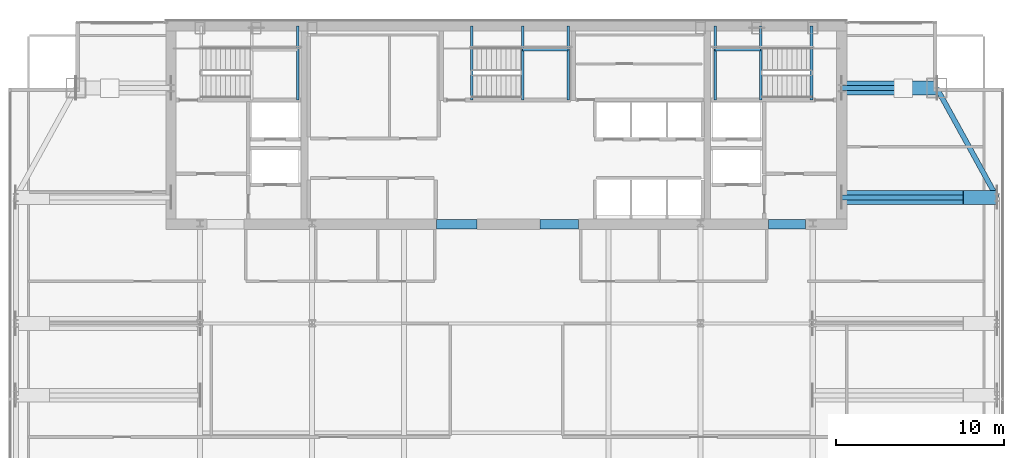
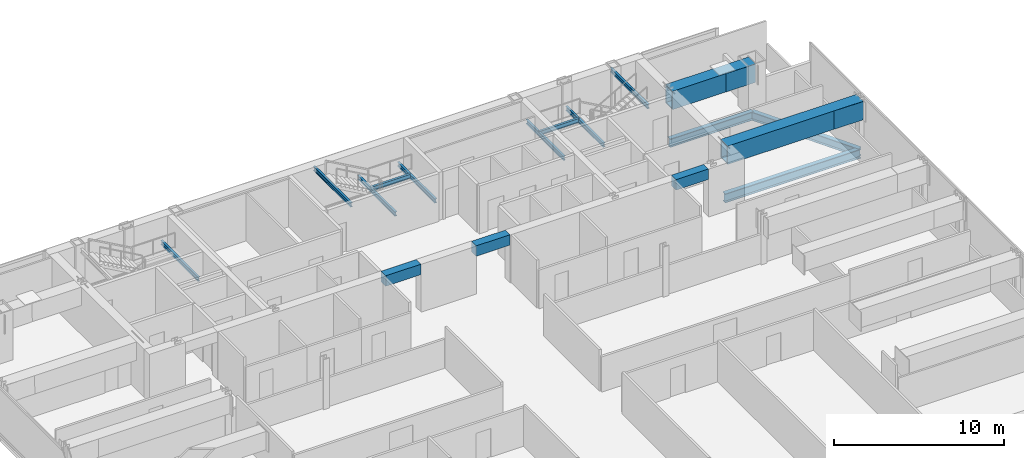
# One storey, part 18 of 26: 19 beams.
"""IFC4 building model written with IfcOpenShell, lengths in metres."""

import ifcopenshell
import ifcopenshell.guid

model = None  # the IFC model being written
_history = None  # IfcOwnerHistory: only IFC2X3 demands one
_inside = {}  # id of a spatial element -> (the spatial element, [elements in it])
_under = {}  # id of a project, library or spatial element -> (it, [spatial elements below it])
_declared = {}  # id of a project -> (the project, [libraries it declares])
_typed = {}  # id of a type object -> (the type object, [elements of that type])
_made_of = {}  # id of a material, layer set ... -> (it, [elements and type objects made of it])


def new_model(schema):
    """Start an empty IFC model of exactly this schema.

    Asked for "IFC4X3", IfcOpenShell would pick the latest addendum, in which some entities
    have other attributes; the version numbers below select the first issue.
    IFC2X3 requires an IfcOwnerHistory on every rooted entity: one is made here for all.
    """
    global model, _history
    if schema == "IFC4X3":
        model = ifcopenshell.file(schema_version=(4, 3, 0, 0))
    else:
        model = ifcopenshell.file(schema=schema)
    _inside.clear()
    _under.clear()
    _declared.clear()
    _typed.clear()
    _made_of.clear()
    _history = None
    if model.schema == "IFC2X3":
        org = make("IfcOrganization", Name="unknown")
        user = make(
            "IfcPersonAndOrganization",
            ThePerson=make("IfcPerson", FamilyName="unknown"),
            TheOrganization=org,
        )
        app = make(
            "IfcApplication",
            ApplicationDeveloper=org,
            Version="unknown",
            ApplicationFullName="unknown",
            ApplicationIdentifier="unknown",
        )
        _history = make(
            "IfcOwnerHistory",
            OwningUser=user,
            OwningApplication=app,
            ChangeAction="ADDED",
            CreationDate=0,
        )
    return model


def make(cls, **values):
    """One entity of the class cls with the attributes given. An attribute that is None is left unset."""
    return model.create_entity(
        cls, **{name: value for name, value in values.items() if value is not None}
    )


def rooted(cls, **values):
    """An entity with a GlobalId (a new one), such as an element, a storey or a relation."""
    return make(cls, GlobalId=ifcopenshell.guid.new(), OwnerHistory=_history, **values)


def si_unit(unit_type, name, prefix=None):
    """IfcSIUnit, for example si_unit("LENGTHUNIT", "METRE", prefix="MILLI")."""
    return make("IfcSIUnit", UnitType=unit_type, Prefix=prefix, Name=name)


def assignment(units):
    """IfcUnitAssignment: the units of a project."""
    return None if units is None else make("IfcUnitAssignment", Units=units)


def point(xyz):
    """IfcCartesianPoint."""
    return None if xyz is None else make("IfcCartesianPoint", Coordinates=xyz)


def direction(xyz):
    """IfcDirection."""
    return None if xyz is None else make("IfcDirection", DirectionRatios=xyz)


def frame(location, z_axis=None, x_axis=None):
    """IfcAxis2Placement3D, a coordinate frame: its origin and axes. An axis left out is left unset."""
    return make(
        "IfcAxis2Placement3D",
        Location=point(location),
        Axis=direction(z_axis),
        RefDirection=direction(x_axis),
    )


def frame_2d(location, x_axis=None):
    """IfcAxis2Placement2D, a coordinate frame in the plane: its origin and x axis."""
    return make(
        "IfcAxis2Placement2D", Location=point(location), RefDirection=direction(x_axis)
    )


def origin():
    """The frame at (0, 0, 0) with its axes left unset."""
    return frame((0.0, 0.0, 0.0))


def origin_2d():
    """The frame at (0, 0) in the plane with its x axis left unset."""
    return frame_2d((0.0, 0.0))


def place(relative_to, where):
    """IfcLocalPlacement: puts the frame where relative to a parent placement (None: the world)."""
    return make(
        "IfcLocalPlacement", PlacementRelTo=relative_to, RelativePlacement=where
    )


def context(
    kind, dimensions, precision=None, world=None, true_north=None, identifier=None
):
    """IfcGeometricRepresentationContext, for example the 3D "Model" context."""
    return make(
        "IfcGeometricRepresentationContext",
        ContextIdentifier=identifier,
        ContextType=kind,
        CoordinateSpaceDimension=dimensions,
        Precision=precision,
        WorldCoordinateSystem=world,
        TrueNorth=true_north,
    )


def subcontext(parent, identifier, kind, view, scale=None):
    """IfcGeometricRepresentationSubContext, for example "Body" below "Model"."""
    return make(
        "IfcGeometricRepresentationSubContext",
        ContextIdentifier=identifier,
        ContextType=kind,
        ParentContext=parent,
        TargetScale=scale,
        TargetView=view,
    )


def project(units=None, contexts=None):
    """IfcProject with its units and contexts."""
    return rooted(
        "IfcProject",
        Name="project",
        RepresentationContexts=contexts,
        UnitsInContext=assignment(units),
    )


def spatial(cls, under=None, at=None, **own):
    """A site, building, storey or space (cls), placed at a placement, below another one or the project."""
    s = rooted(cls, ObjectPlacement=at, **own)
    if under is not None:
        _under.setdefault(under.id(), (under, []))[1].append(s)
    return s


def profile(cls, at=None, kind="AREA", **sizes):
    """A parametric profile (cls). Its sizes go by their IFC names, for example OverallWidth=200.0."""
    return make(cls, ProfileType=kind, Position=at, **sizes)


def rectangle(**sizes):
    """IfcRectangleProfileDef."""
    return profile("IfcRectangleProfileDef", **sizes)


def hollow_rectangle(**sizes):
    """IfcRectangleHollowProfileDef."""
    return profile("IfcRectangleHollowProfileDef", **sizes)


def i_section(**sizes):
    """IfcIShapeProfileDef."""
    return profile("IfcIShapeProfileDef", **sizes)


def extrude(swept, where, along, depth):
    """IfcExtrudedAreaSolid: the profile swept, set in the frame where, extruded along a direction by depth."""
    return make(
        "IfcExtrudedAreaSolid",
        SweptArea=swept,
        Position=where,
        ExtrudedDirection=direction(along),
        Depth=depth,
    )


def shape(context_of_items, identifier, shape_type, items):
    """IfcShapeRepresentation: the items that make up one representation, for example the "Body"."""
    return make(
        "IfcShapeRepresentation",
        ContextOfItems=context_of_items,
        RepresentationIdentifier=identifier,
        RepresentationType=shape_type,
        Items=items,
    )


def material(Name=None, Category=None):
    """IfcMaterial."""
    return make("IfcMaterial", Name=Name, Category=Category)


def material_profile(
    of_material, cross_section, Name=None, Category=None, Priority=None
):
    """IfcMaterialProfile: a cross section and its material."""
    return make(
        "IfcMaterialProfile",
        Name=Name,
        Material=of_material,
        Profile=cross_section,
        Priority=Priority,
        Category=Category,
    )


def profile_set(profiles, Name=None, composite=None):
    """IfcMaterialProfileSet."""
    return make(
        "IfcMaterialProfileSet",
        Name=Name,
        MaterialProfiles=profiles,
        CompositeProfile=composite,
    )


def made_of(thing, what):
    """Note that an element or type object is made of a material, layer set ...; save() writes the relation."""
    if what is not None:
        _made_of.setdefault(what.id(), (what, []))[1].append(thing)
    return thing


def type_object(cls, material=None, **own):
    """A type object (cls), such as IfcWallType, which elements share."""
    return made_of(rooted(cls, **own), material)


def element(
    cls,
    number,
    at=None,
    inside=None,
    cuts=None,
    type_object=None,
    material=None,
    context=None,
    identifier="Body",
    shape_type=None,
    held_by="IfcProductDefinitionShape",
    body=None,
    shapes=None,
    **own,
):
    """One element of the class cls, such as IfcWall. Its Tag is "e" and its number.

    at: its placement. inside: the storey or other place that contains it. cuts: it is an
    opening in that element (IfcRelVoidsElement). A single representation is given by context,
    identifier, shape_type and body (its items); several are given by shapes. held_by: the class
    of the entity that holds the representations. save() writes the other relations.
    """
    e = rooted(cls, Tag="e%d" % number, ObjectPlacement=at, **own)
    if body is not None:
        shapes = [shape(context, identifier, shape_type, body)]
    if shapes is not None:
        e.Representation = make(held_by, Representations=shapes)
    if inside is not None:
        _inside.setdefault(inside.id(), (inside, []))[1].append(e)
    if cuts is not None:
        rooted(
            "IfcRelVoidsElement", RelatingBuildingElement=cuts, RelatedOpeningElement=e
        )
    if type_object is not None:
        _typed.setdefault(type_object.id(), (type_object, []))[1].append(e)
    return made_of(e, material)


def aggregate(whole, parts):
    """IfcRelAggregates: a whole, such as a stair, and the parts it consists of."""
    return rooted("IfcRelAggregates", RelatingObject=whole, RelatedObjects=parts)


def save(model, path):
    """Write the relations noted so far, then the file.

    IfcRelAggregates (storeys below a building ...), IfcRelContainedInSpatialStructure (elements
    in a storey), IfcRelDefinesByType, IfcRelAssociatesMaterial and IfcRelDeclares: one each for
    every whole, place, type object, material and project.
    """
    for whole, parts in _under.values():
        aggregate(whole, parts)
    for where, things in _inside.values():
        rooted(
            "IfcRelContainedInSpatialStructure",
            RelatedElements=things,
            RelatingStructure=where,
        )
    for kind, things in _typed.values():
        rooted("IfcRelDefinesByType", RelatedObjects=things, RelatingType=kind)
    for what, things in _made_of.values():
        rooted("IfcRelAssociatesMaterial", RelatedObjects=things, RelatingMaterial=what)
    for by, libraries in _declared.values():
        rooted("IfcRelDeclares", RelatingContext=by, RelatedDefinitions=libraries)
    model.write(path)


model = new_model("IFC4")

# Units and contexts
model_context = context("Model", 3, precision=1e-05, world=origin(), true_north=direction((0.0, 1.0)))
body_context = subcontext(model_context, "Body", "Model", "MODEL_VIEW")
ifc_project = project(units=[si_unit("LENGTHUNIT", "METRE"), si_unit("AREAUNIT", "SQUARE_METRE"), si_unit("VOLUMEUNIT", "CUBIC_METRE"), si_unit("PLANEANGLEUNIT", "RADIAN"), si_unit("MASSUNIT", "GRAM", prefix="KILO")], contexts=[model_context])

# Site, building, storey
site_placement = place(None, origin())
site = spatial("IfcSite", under=ifc_project, at=site_placement, CompositionType="ELEMENT")
building_placement = place(site_placement, origin())
building = spatial("IfcBuilding", under=site, at=building_placement, Name="Khoronbel Lancet Exchange", CompositionType="ELEMENT")
storey_placement = place(building_placement, frame((0.0, 0.0, 235.39990234375)))
storey = spatial("IfcBuildingStorey", under=building, at=storey_placement, Name="L60", CompositionType="ELEMENT", Elevation=235.39990234375)

# Beams
ifc_material_1 = material(Name="Steel S355", Category="steel")
ifc_material_profile_1 = material_profile(ifc_material_1, i_section(OverallWidth=0.300048828125, OverallDepth=0.64990234375, WebThickness=0.01611328125, FlangeThickness=0.031005859375, at=origin_2d()), Name="HEB 650")
ifc_profile_set_1 = profile_set([ifc_material_profile_1], Name="Steel S355")
beam_type_1 = type_object("IfcBeamType", Name="BM-BG4", PredefinedType="BEAM", material=ifc_profile_set_1)
beam_1_placement = place(storey_placement, frame((56.39990234375, 43.199951171875, -0.48486328125), z_axis=(1.0, 0.0, 0.0), x_axis=(0.0, 1.0, 0.0)))
element("IfcBeam", 1, at=beam_1_placement, inside=storey, type_object=beam_type_1, Name="Level L60 east lens tie girder LG3E", PredefinedType="BEAM", context=body_context, shape_type="SweptSolid", body=[
    extrude(i_section(OverallWidth=0.300048828125, OverallDepth=0.64990234375, WebThickness=0.01611328125, FlangeThickness=0.031005859375, at=origin_2d()), origin(), (0.0, 0.0, 1.0), 9.22998046875),
])
ifc_material_profile_2 = material_profile(ifc_material_1, i_section(OverallWidth=0.14990234375, OverallDepth=0.300048828125, WebThickness=0.007080078125, FlangeThickness=0.0107421875, at=origin_2d()), Name="IPE 300")
ifc_profile_set_2 = profile_set([ifc_material_profile_2], Name="Steel S355")
beam_type_2 = type_object("IfcBeamType", Name="BM-BJ8", PredefinedType="JOIST", material=ifc_profile_set_2)
for number, where, z_axis, x_axis, name in (
    (2, (24.030029296875, 48.97998046875, 1.4501953125), (0.0, 1.0, 0.0), (-1.0, 0.0, 0.0), "Level L60 stair ST1 rear landing bearer beam 1"),
    (3, (51.580078125, 48.97998046875, 1.4501953125), (0.0, 1.0, 0.0), (-1.0, 0.0, 0.0), "Level L60 stair ST2 landing bearer beam 1"),
    (4, (48.8701171875, 48.97998046875, 1.4501953125), (0.0, 1.0, 0.0), (-1.0, 0.0, 0.0), "Level L60 stair ST2 rear landing bearer beam 1"),
):
    element("IfcBeam", number, at=place(storey_placement, frame(where, z_axis=z_axis, x_axis=x_axis)), inside=storey, type_object=beam_type_2, Name=name, PredefinedType="JOIST", context=body_context, shape_type="SweptSolid", body=[
        extrude(i_section(OverallWidth=0.14990234375, OverallDepth=0.300048828125, WebThickness=0.007080078125, FlangeThickness=0.0107421875, at=origin_2d()), origin(), (0.0, 0.0, 1.0), 4.419921875),
    ])
beam_2_placement = place(storey_placement, frame((48.8701171875, 51.97998046875, 1.4501953125), z_axis=(1.0, 0.0, 0.0), x_axis=(0.0, 1.0, 0.0)))
element("IfcBeam", 5, at=beam_2_placement, inside=storey, type_object=beam_type_2, Name="Level L60 stair ST2 landing cross trimmer beam 1", PredefinedType="JOIST", context=body_context, shape_type="SweptSolid", body=[
    extrude(i_section(OverallWidth=0.14990234375, OverallDepth=0.300048828125, WebThickness=0.007080078125, FlangeThickness=0.0107421875, at=origin_2d()), origin(), (0.0, 0.0, 1.0), 2.7099609375),
])
for number, where, z_axis, x_axis, name in (
    (6, (54.60009765625, 48.97998046875, 3.16015625), (0.0, 1.0, 0.0), (-1.0, 0.0, 0.0), "Level L60 stair ST2 upper-flight arrival trimmer beam"),
    (7, (37.419921875, 48.97998046875, 1.4501953125), (0.0, 1.0, 0.0), (-1.0, 0.0, 0.0), "Level L60 stair ST3 landing bearer beam 1"),
    (8, (40.1298828125, 48.97998046875, 1.4501953125), (0.0, 1.0, 0.0), (-1.0, 0.0, 0.0), "Level L60 stair ST3 rear landing bearer beam 1"),
):
    element("IfcBeam", number, at=place(storey_placement, frame(where, z_axis=z_axis, x_axis=x_axis)), inside=storey, type_object=beam_type_2, Name=name, PredefinedType="JOIST", context=body_context, shape_type="SweptSolid", body=[
        extrude(i_section(OverallWidth=0.14990234375, OverallDepth=0.300048828125, WebThickness=0.007080078125, FlangeThickness=0.0107421875, at=origin_2d()), origin(), (0.0, 0.0, 1.0), 4.419921875),
    ])
beam_3_placement = place(storey_placement, frame((37.419921875, 51.97998046875, 1.4501953125), z_axis=(1.0, 0.0, 0.0), x_axis=(0.0, 1.0, 0.0)))
element("IfcBeam", 9, at=beam_3_placement, inside=storey, type_object=beam_type_2, Name="Level L60 stair ST3 landing cross trimmer beam 1", PredefinedType="JOIST", context=body_context, shape_type="SweptSolid", body=[
    extrude(i_section(OverallWidth=0.14990234375, OverallDepth=0.300048828125, WebThickness=0.007080078125, FlangeThickness=0.0107421875, at=origin_2d()), origin(), (0.0, 0.0, 1.0), 2.7099609375),
])
beam_4_placement = place(storey_placement, frame((34.39990234375, 48.97998046875, 3.16015625), z_axis=(0.0, 1.0, 0.0), x_axis=(-1.0, 0.0, 0.0)))
element("IfcBeam", 10, at=beam_4_placement, inside=storey, type_object=beam_type_2, Name="Level L60 stair ST3 upper-flight arrival trimmer beam", PredefinedType="JOIST", context=body_context, shape_type="SweptSolid", body=[
    extrude(i_section(OverallWidth=0.14990234375, OverallDepth=0.300048828125, WebThickness=0.007080078125, FlangeThickness=0.0107421875, at=origin_2d()), origin(), (0.0, 0.0, 1.0), 4.419921875),
])
ifc_material_2 = material(Name="Concrete C60/75", Category="concrete")
ifc_material_profile_3 = material_profile(ifc_material_2, rectangle(XDim=0.550048828125, YDim=0.75, at=origin_2d()), Name="RC 550x750")
ifc_profile_set_3 = profile_set([ifc_material_profile_3], Name="Concrete C60/75")
beam_type_3 = type_object("IfcBeamType", Name="BM-BL2", PredefinedType="LINTEL", material=ifc_profile_set_3)
beam_5_placement = place(storey_placement, frame((32.300048828125, 41.60009765625, 3.065185546875), z_axis=(1.0, 0.0, 0.0), x_axis=(0.0, 1.0, 0.0)))
element("IfcBeam", 11, at=beam_5_placement, inside=storey, type_object=beam_type_3, Name="Level L60 rear core coupling lintel L2", PredefinedType="LINTEL", context=body_context, shape_type="SweptSolid", body=[
    extrude(rectangle(XDim=0.550048828125, YDim=0.75, at=origin_2d()), origin(), (0.0, 0.0, 1.0), 2.39990234375),
])
beam_6_placement = place(storey_placement, frame((38.449951171875, 41.60009765625, 3.065185546875), z_axis=(1.0, 0.0, 0.0), x_axis=(0.0, 1.0, 0.0)))
element("IfcBeam", 12, at=beam_6_placement, inside=storey, type_object=beam_type_3, Name="Level L60 rear core coupling lintel L3", PredefinedType="LINTEL", context=body_context, shape_type="SweptSolid", body=[
    extrude(rectangle(XDim=0.550048828125, YDim=0.75, at=origin_2d()), origin(), (0.0, 0.0, 1.0), 2.300048828125),
])
beam_7_placement = place(storey_placement, frame((52.050048828125, 41.60009765625, 3.065185546875), z_axis=(1.0, 0.0, 0.0), x_axis=(0.0, 1.0, 0.0)))
element("IfcBeam", 13, at=beam_7_placement, inside=storey, type_object=beam_type_3, Name="Level L60 rear core coupling lintel L4", PredefinedType="LINTEL", context=body_context, shape_type="SweptSolid", body=[
    extrude(rectangle(XDim=0.550048828125, YDim=0.75, at=origin_2d()), origin(), (0.0, 0.0, 1.0), 2.199951171875),
])
ifc_material_profile_4 = material_profile(ifc_material_1, i_section(OverallWidth=0.300048828125, OverallDepth=0.60009765625, WebThickness=0.015380859375, FlangeThickness=0.030029296875, at=origin_2d()), Name="HEB 600")
ifc_profile_set_4 = profile_set([ifc_material_profile_4], Name="Steel S355")
beam_type_4 = type_object("IfcBeamType", Name="BM-BSP2", PredefinedType="SPANDREL", material=ifc_profile_set_4)
beam_8_placement = place(storey_placement, frame((65.6298828125, 43.199951171875, -0.4599609375), z_axis=(-0.482418808117, 0.875940690672, 0.0), x_axis=(-0.875940690672, -0.482418808117, 0.0)))
element("IfcBeam", 14, at=beam_8_placement, inside=storey, type_object=beam_type_4, Name="Level L60 perimeter spandrel beam SP15", PredefinedType="SPANDREL", context=body_context, shape_type="SweptSolid", body=[
    extrude(i_section(OverallWidth=0.300048828125, OverallDepth=0.60009765625, WebThickness=0.015380859375, FlangeThickness=0.030029296875, at=origin_2d()), origin(), (0.0, 0.0, 1.0), 7.420654296875),
])
beam_9_placement = place(storey_placement, frame((62.050048828125, 49.699951171875, -0.4599609375), z_axis=(-1.0, 0.0, 0.0), x_axis=(0.0, -1.0, 0.0)))
element("IfcBeam", 15, at=beam_9_placement, inside=storey, type_object=beam_type_4, Name="Level L60 north flank tie spandrel SP23", PredefinedType="SPANDREL", context=body_context, shape_type="SweptSolid", body=[
    extrude(i_section(OverallWidth=0.300048828125, OverallDepth=0.60009765625, WebThickness=0.015380859375, FlangeThickness=0.030029296875, at=origin_2d()), origin(), (0.0, 0.0, 1.0), 5.650146484375),
])
ifc_material_3 = material(Name="Steel S460", Category="steel")
ifc_material_profile_5 = material_profile(ifc_material_3, hollow_rectangle(XDim=0.820068359375, YDim=1.320068359375, WallThickness=0.070068359375, at=origin_2d()), Name="BOX 820x1320x70")
ifc_profile_set_5 = profile_set([ifc_material_profile_5], Name="Steel S460")
beam_type_5 = type_object("IfcBeamType", Name="BM-TG4", PredefinedType="USERDEFINED", material=ifc_profile_set_5)
for number, where, z_axis, x_axis, name in (
    (16, (62.050048828125, 49.699951171875, 2.760009765625), (-0.99994990606, 0.0, 0.010009264196), (0.0, -1.0, 0.0), "Setback transfer knee-brace girder L60-MC-NE"),
    (17, (65.6298828125, 43.199951171875, 2.760009765625), (-0.99994990606, 0.0, 0.010009264196), (0.0, -1.0, 0.0), "Setback transfer knee-brace girder L60-EC-4"),
):
    element("IfcBeam", number, at=place(storey_placement, frame(where, z_axis=z_axis, x_axis=x_axis)), inside=storey, type_object=beam_type_5, Name=name, ObjectType="TRANSFER GIRDER", PredefinedType="USERDEFINED", context=body_context, shape_type="SweptSolid", body=[
        extrude(hollow_rectangle(XDim=0.820068359375, YDim=1.320068359375, WallThickness=0.070068359375, at=origin_2d()), origin(), (0.0, 0.0, 1.0), 2.0),
    ])
beam_10_placement = place(storey_placement, frame((56.39990234375, 49.699951171875, 2.780029296875), z_axis=(1.0, 0.0, 0.0), x_axis=(0.0, 1.0, 0.0)))
element("IfcBeam", 18, at=beam_10_placement, inside=storey, type_object=beam_type_5, Name="Corner mega-column setback transfer girder L60-NE", ObjectType="TRANSFER GIRDER", PredefinedType="USERDEFINED", context=body_context, shape_type="SweptSolid", body=[
    extrude(hollow_rectangle(XDim=0.820068359375, YDim=1.320068359375, WallThickness=0.070068359375, at=origin_2d()), origin(), (0.0, 0.0, 1.0), 5.650146484375),
])
beam_11_placement = place(storey_placement, frame((56.39990234375, 43.199951171875, 2.780029296875), z_axis=(1.0, 0.0, 0.0), x_axis=(0.0, 1.0, 0.0)))
element("IfcBeam", 19, at=beam_11_placement, inside=storey, type_object=beam_type_5, Name="Lens setback S460 transfer girder L60-E5", ObjectType="TRANSFER GIRDER", PredefinedType="USERDEFINED", context=body_context, shape_type="SweptSolid", body=[
    extrude(hollow_rectangle(XDim=0.820068359375, YDim=1.320068359375, WallThickness=0.070068359375, at=origin_2d()), origin(), (0.0, 0.0, 1.0), 9.22998046875),
])

save(model, "model.ifc")
